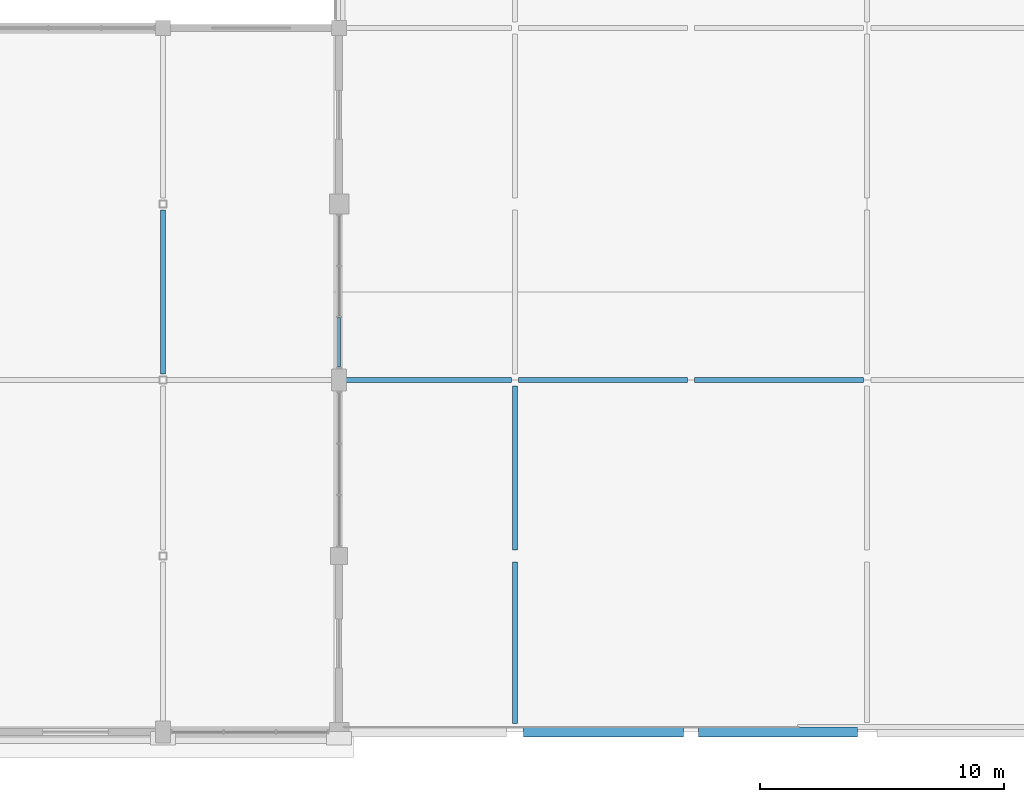
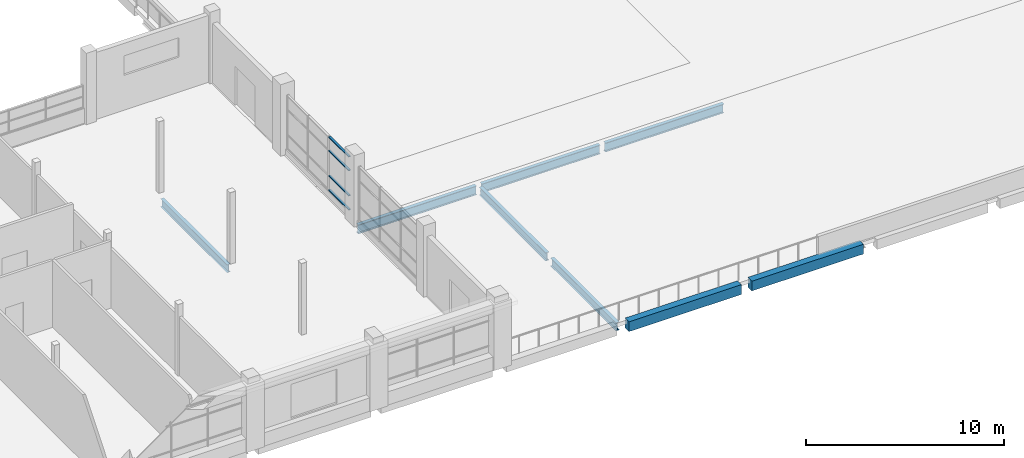
# One storey, part 22 of 71: 8 beams, 4 members, 1 element without a shape of its own.
"""IFC4 building model written with IfcOpenShell, lengths in metres."""

from ifc_helpers import new_model, si_unit, direction, frame, origin, origin_2d, place, context, subcontext, project, spatial, rectangle, i_section, extrude, material, material_profile, profile_set, type_object, element, aggregate, save


model = new_model("IFC4")

# Units and contexts
model_context = context("Model", 3, precision=1e-05, world=origin(), true_north=direction((0.0, 1.0)))
body_context = subcontext(model_context, "Body", "Model", "MODEL_VIEW")
ifc_project = project(units=[si_unit("LENGTHUNIT", "METRE"), si_unit("AREAUNIT", "SQUARE_METRE"), si_unit("VOLUMEUNIT", "CUBIC_METRE"), si_unit("PLANEANGLEUNIT", "RADIAN"), si_unit("MASSUNIT", "GRAM", prefix="KILO")], contexts=[model_context])

# Site, building, storey
site_placement = place(None, origin())
site = spatial("IfcSite", under=ifc_project, at=site_placement, CompositionType="ELEMENT")
building_placement = place(site_placement, origin())
building = spatial("IfcBuilding", under=site, at=building_placement, Name="Sardonyx Promenade Sports Hall", CompositionType="ELEMENT")
storey_placement = place(building_placement, frame((0.0, 0.0, 16.0)))
storey = spatial("IfcBuildingStorey", under=building, at=storey_placement, Name="L03", CompositionType="ELEMENT", Elevation=16.0)

# Beams
ifc_material_1 = material(Name="Steel S355JR", Category="steel")
ifc_material_profile_1 = material_profile(ifc_material_1, i_section(OverallWidth=0.199951171875, OverallDepth=0.5, WebThickness=0.01025390625, FlangeThickness=0.01611328125, at=origin_2d()))
ifc_profile_set_1 = profile_set([ifc_material_profile_1], Name="Steel S355JR")
beam_type_1 = type_object("IfcBeamType", Name="Bm_Primary_IPE500", PredefinedType="BEAM", material=ifc_profile_set_1)
beam_1_placement = place(storey_placement, frame((100.800048828125, 14.64501953125, -0.5400390625), z_axis=(0.0, 1.0, 0.0), x_axis=(-1.0, 0.0, 0.0)))
element("IfcBeam", 1, at=beam_1_placement, inside=storey, type_object=beam_type_1, Name="Beam SB06 L03 #867", PredefinedType="BEAM", context=body_context, shape_type="SweptSolid", body=[
    extrude(i_section(OverallWidth=0.199951171875, OverallDepth=0.5, WebThickness=0.01025390625, FlangeThickness=0.01611328125, at=origin_2d()), origin(), (0.0, 0.0, 1.0), 6.7099609375),
])
beam_2_placement = place(storey_placement, frame((115.199951171875, 0.35009765625, -0.489990234375), z_axis=(0.0, 1.0, 0.0), x_axis=(-1.0, 0.0, 0.0)))
element("IfcBeam", 2, at=beam_2_placement, inside=storey, type_object=beam_type_1, Name="Beam SB06 L03 #881", PredefinedType="BEAM", context=body_context, shape_type="SweptSolid", body=[
    extrude(i_section(OverallWidth=0.199951171875, OverallDepth=0.5, WebThickness=0.01025390625, FlangeThickness=0.01611328125, at=origin_2d()), origin(), (0.0, 0.0, 1.0), 6.60498046875),
])
beam_3_placement = place(storey_placement, frame((115.199951171875, 7.445068359375, -0.489990234375), z_axis=(0.0, 1.0, 0.0), x_axis=(-1.0, 0.0, 0.0)))
element("IfcBeam", 3, at=beam_3_placement, inside=storey, type_object=beam_type_1, Name="Beam SB06 L03 #882", PredefinedType="BEAM", context=body_context, shape_type="SweptSolid", body=[
    extrude(i_section(OverallWidth=0.199951171875, OverallDepth=0.5, WebThickness=0.01025390625, FlangeThickness=0.01611328125, at=origin_2d()), origin(), (0.0, 0.0, 1.0), 6.7099609375),
])
ifc_material_2 = material(Name="Steel S355JR", Category="steel")
ifc_material_profile_2 = material_profile(ifc_material_2, i_section(OverallWidth=0.2099609375, OverallDepth=0.550048828125, WebThickness=0.010986328125, FlangeThickness=0.01708984375, at=origin_2d()))
ifc_profile_set_2 = profile_set([ifc_material_profile_2], Name="Steel S355JR")
beam_type_2 = type_object("IfcBeamType", Name="Bm_Primary_IPE550", PredefinedType="BEAM", material=ifc_profile_set_2)
beam_4_placement = place(storey_placement, frame((108.14990234375, 14.39990234375, -0.514892578125), z_axis=(1.0, 0.0, 0.0), x_axis=(0.0, 1.0, 0.0)))
element("IfcBeam", 4, at=beam_4_placement, inside=storey, type_object=beam_type_2, Name="Beam SB03 L03 #744", PredefinedType="BEAM", context=body_context, shape_type="SweptSolid", body=[
    extrude(i_section(OverallWidth=0.2099609375, OverallDepth=0.550048828125, WebThickness=0.010986328125, FlangeThickness=0.01708984375, at=origin_2d()), origin(), (0.0, 0.0, 1.0), 6.900146484375),
])
for number, where, z_axis, x_axis, name in (
    (5, (115.35009765625, 14.39990234375, -0.514892578125), (1.0, 0.0, 0.0), (0.0, 1.0, 0.0), "Beam SB03 L03 #745"),
    (6, (122.550048828125, 14.39990234375, -0.514892578125), (1.0, 0.0, 0.0), (0.0, 1.0, 0.0), "Beam SB03 L03 #746"),
):
    element("IfcBeam", number, at=place(storey_placement, frame(where, z_axis=z_axis, x_axis=x_axis)), inside=storey, type_object=beam_type_2, Name=name, PredefinedType="BEAM", context=body_context, shape_type="SweptSolid", body=[
        extrude(i_section(OverallWidth=0.2099609375, OverallDepth=0.550048828125, WebThickness=0.010986328125, FlangeThickness=0.01708984375, at=origin_2d()), origin(), (0.0, 0.0, 1.0), 6.89990234375),
    ])
ifc_material_3 = material(Name="Concrete C40/50", Category="concrete")
ifc_material_profile_3 = material_profile(ifc_material_3, rectangle(XDim=0.39990234375, YDim=0.60009765625, at=origin_2d()))
ifc_profile_set_3 = profile_set([ifc_material_profile_3], Name="Concrete C40/50")
beam_type_3 = type_object("IfcBeamType", Name="Bm_Spandrel_RC600", PredefinedType="SPANDREL", material=ifc_profile_set_3)
beam_5_placement = place(storey_placement, frame((115.550048828125, 0.0, -0.300048828125), z_axis=(1.0, 0.0, 0.0), x_axis=(0.0, 1.0, 0.0)))
element("IfcBeam", 7, at=beam_5_placement, inside=storey, type_object=beam_type_3, Name="Beam SPB1 L03 #722", PredefinedType="SPANDREL", context=body_context, shape_type="SweptSolid", body=[
    extrude(rectangle(XDim=0.39990234375, YDim=0.60009765625, at=origin_2d()), origin(), (0.0, 0.0, 1.0), 6.550048828125),
])
beam_6_placement = place(storey_placement, frame((122.699951171875, 0.0, -0.300048828125), z_axis=(1.0, 0.0, 0.0), x_axis=(0.0, 1.0, 0.0)))
element("IfcBeam", 8, at=beam_6_placement, inside=storey, type_object=beam_type_3, Name="Beam SPB1 L03 #723", PredefinedType="SPANDREL", context=body_context, shape_type="SweptSolid", body=[
    extrude(rectangle(XDim=0.39990234375, YDim=0.60009765625, at=origin_2d()), origin(), (0.0, 0.0, 1.0), 6.5),
])

# Curtain wall, members
ifc_material_4 = material(Name="Aluminium 6063-T6", Category="aluminium")
curtain_wall_type = type_object("IfcCurtainWallType", Name="CW_South_L03_640", PredefinedType="USERDEFINED", material=ifc_material_4)
curtain_wall_placement = place(storey_placement, origin())
curtain_wall = element("IfcCurtainWall", 9, at=curtain_wall_placement, inside=storey, type_object=curtain_wall_type, Name="Curtain wall CW14 cw:L03:161", ObjectType="CURTAIN WALL", PredefinedType="USERDEFINED")
ifc_material_5 = material(Name="Aluminium 6063-T6", Category="aluminium")
ifc_material_profile_4 = material_profile(ifc_material_5, rectangle(XDim=0.06005859375, YDim=0.1201171875, at=origin_2d()))
ifc_profile_set_4 = profile_set([ifc_material_profile_4], Name="Aluminium 6063-T6")
member_type = type_object("IfcMemberType", Name="CW_Tran_120", PredefinedType="USERDEFINED", material=ifc_profile_set_4)
member_1_placement = place(storey_placement, frame((108.0, 16.953369140625, 0.3798828125), z_axis=(0.0, -1.0, 0.0), x_axis=(0.0, 0.0, 1.0)))
member_1 = element("IfcMember", 10, at=member_1_placement, type_object=member_type, Name="Transom CT01 cw:L03:161 #9", ObjectType="TRANSOM", PredefinedType="USERDEFINED", context=body_context, shape_type="SweptSolid", body=[
    extrude(rectangle(XDim=0.06005859375, YDim=0.1201171875, at=origin_2d()), origin(), (0.0, 0.0, 1.0), 2.0234375),
])
member_2_placement = place(storey_placement, frame((108.0, 16.953369140625, 1.25), z_axis=(0.0, -1.0, 0.0), x_axis=(0.0, 0.0, 1.0)))
member_2 = element("IfcMember", 11, at=member_2_placement, type_object=member_type, Name="Transom CT01 cw:L03:161 #10", ObjectType="TRANSOM", PredefinedType="USERDEFINED", context=body_context, shape_type="SweptSolid", body=[
    extrude(rectangle(XDim=0.06005859375, YDim=0.1201171875, at=origin_2d()), origin(), (0.0, 0.0, 1.0), 2.0234375),
])
member_3_placement = place(storey_placement, frame((108.0, 16.953369140625, 2.800048828125), z_axis=(0.0, -1.0, 0.0), x_axis=(0.0, 0.0, 1.0)))
member_3 = element("IfcMember", 12, at=member_3_placement, type_object=member_type, Name="Transom CT01 cw:L03:161 #11", ObjectType="TRANSOM", PredefinedType="USERDEFINED", context=body_context, shape_type="SweptSolid", body=[
    extrude(rectangle(XDim=0.06005859375, YDim=0.1201171875, at=origin_2d()), origin(), (0.0, 0.0, 1.0), 2.0234375),
])
member_4_placement = place(storey_placement, frame((108.0, 16.953369140625, 3.64501953125), z_axis=(0.0, -1.0, 0.0), x_axis=(0.0, 0.0, 1.0)))
member_4 = element("IfcMember", 13, at=member_4_placement, type_object=member_type, Name="Transom CT01 cw:L03:161 #12", ObjectType="TRANSOM", PredefinedType="USERDEFINED", context=body_context, shape_type="SweptSolid", body=[
    extrude(rectangle(XDim=0.06005859375, YDim=0.1201171875, at=origin_2d()), origin(), (0.0, 0.0, 1.0), 2.0234375),
])
aggregate(curtain_wall, [member_1, member_2, member_3, member_4])

save(model, "model.ifc")
